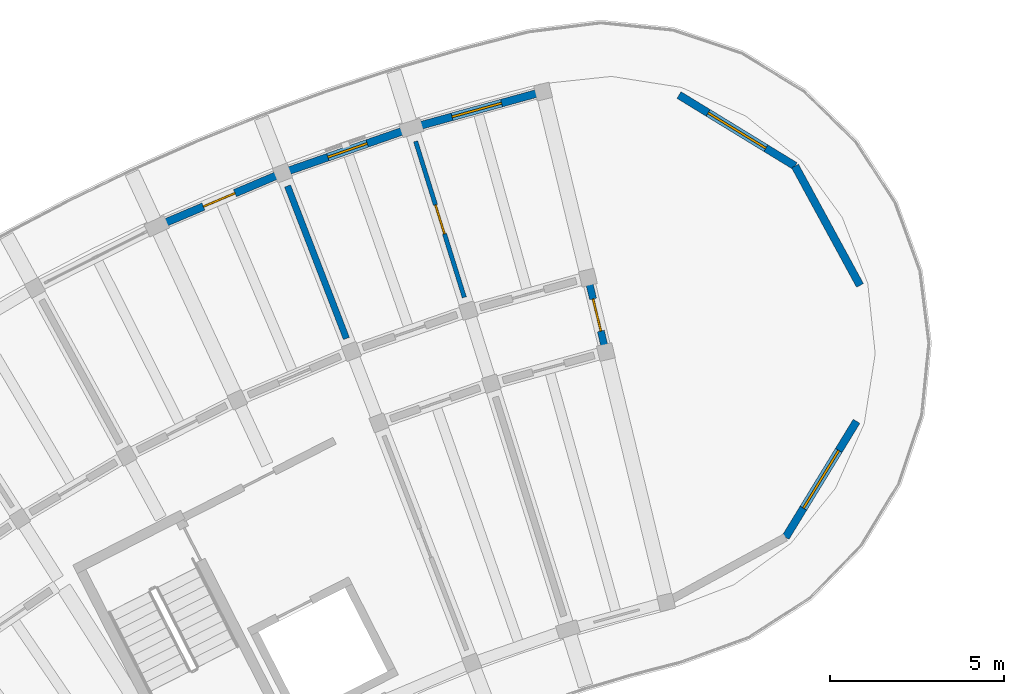
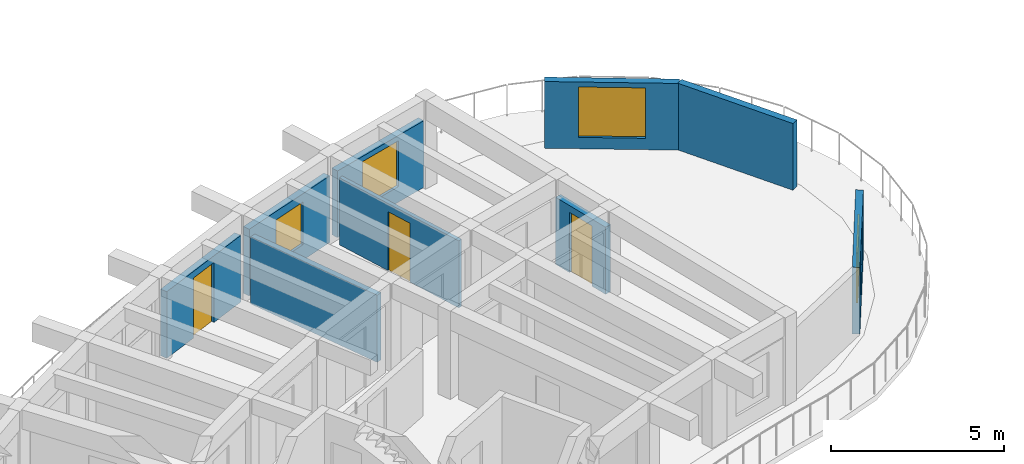
# One storey, part 21 of 32: 9 walls, 4 windows, 3 doors, 7 openings.
"""IFC4 building model written with IfcOpenShell, lengths in metres."""

import ifcopenshell
import ifcopenshell.guid

model = None  # the IFC model being written
_history = None  # IfcOwnerHistory: only IFC2X3 demands one
_inside = {}  # id of a spatial element -> (the spatial element, [elements in it])
_under = {}  # id of a project, library or spatial element -> (it, [spatial elements below it])
_declared = {}  # id of a project -> (the project, [libraries it declares])
_typed = {}  # id of a type object -> (the type object, [elements of that type])
_made_of = {}  # id of a material, layer set ... -> (it, [elements and type objects made of it])


def new_model(schema):
    """Start an empty IFC model of exactly this schema.

    Asked for "IFC4X3", IfcOpenShell would pick the latest addendum, in which some entities
    have other attributes; the version numbers below select the first issue.
    IFC2X3 requires an IfcOwnerHistory on every rooted entity: one is made here for all.
    """
    global model, _history
    if schema == "IFC4X3":
        model = ifcopenshell.file(schema_version=(4, 3, 0, 0))
    else:
        model = ifcopenshell.file(schema=schema)
    _inside.clear()
    _under.clear()
    _declared.clear()
    _typed.clear()
    _made_of.clear()
    _history = None
    if model.schema == "IFC2X3":
        org = make("IfcOrganization", Name="unknown")
        user = make(
            "IfcPersonAndOrganization",
            ThePerson=make("IfcPerson", FamilyName="unknown"),
            TheOrganization=org,
        )
        app = make(
            "IfcApplication",
            ApplicationDeveloper=org,
            Version="unknown",
            ApplicationFullName="unknown",
            ApplicationIdentifier="unknown",
        )
        _history = make(
            "IfcOwnerHistory",
            OwningUser=user,
            OwningApplication=app,
            ChangeAction="ADDED",
            CreationDate=0,
        )
    return model


def make(cls, **values):
    """One entity of the class cls with the attributes given. An attribute that is None is left unset."""
    return model.create_entity(
        cls, **{name: value for name, value in values.items() if value is not None}
    )


def rooted(cls, **values):
    """An entity with a GlobalId (a new one), such as an element, a storey or a relation."""
    return make(cls, GlobalId=ifcopenshell.guid.new(), OwnerHistory=_history, **values)


def si_unit(unit_type, name, prefix=None):
    """IfcSIUnit, for example si_unit("LENGTHUNIT", "METRE", prefix="MILLI")."""
    return make("IfcSIUnit", UnitType=unit_type, Prefix=prefix, Name=name)


def assignment(units):
    """IfcUnitAssignment: the units of a project."""
    return None if units is None else make("IfcUnitAssignment", Units=units)


def point(xyz):
    """IfcCartesianPoint."""
    return None if xyz is None else make("IfcCartesianPoint", Coordinates=xyz)


def direction(xyz):
    """IfcDirection."""
    return None if xyz is None else make("IfcDirection", DirectionRatios=xyz)


def frame(location, z_axis=None, x_axis=None):
    """IfcAxis2Placement3D, a coordinate frame: its origin and axes. An axis left out is left unset."""
    return make(
        "IfcAxis2Placement3D",
        Location=point(location),
        Axis=direction(z_axis),
        RefDirection=direction(x_axis),
    )


def frame_2d(location, x_axis=None):
    """IfcAxis2Placement2D, a coordinate frame in the plane: its origin and x axis."""
    return make(
        "IfcAxis2Placement2D", Location=point(location), RefDirection=direction(x_axis)
    )


def origin():
    """The frame at (0, 0, 0) with its axes left unset."""
    return frame((0.0, 0.0, 0.0))


def place(relative_to, where):
    """IfcLocalPlacement: puts the frame where relative to a parent placement (None: the world)."""
    return make(
        "IfcLocalPlacement", PlacementRelTo=relative_to, RelativePlacement=where
    )


def context(
    kind, dimensions, precision=None, world=None, true_north=None, identifier=None
):
    """IfcGeometricRepresentationContext, for example the 3D "Model" context."""
    return make(
        "IfcGeometricRepresentationContext",
        ContextIdentifier=identifier,
        ContextType=kind,
        CoordinateSpaceDimension=dimensions,
        Precision=precision,
        WorldCoordinateSystem=world,
        TrueNorth=true_north,
    )


def subcontext(parent, identifier, kind, view, scale=None):
    """IfcGeometricRepresentationSubContext, for example "Body" below "Model"."""
    return make(
        "IfcGeometricRepresentationSubContext",
        ContextIdentifier=identifier,
        ContextType=kind,
        ParentContext=parent,
        TargetScale=scale,
        TargetView=view,
    )


def project(units=None, contexts=None):
    """IfcProject with its units and contexts."""
    return rooted(
        "IfcProject",
        Name="project",
        RepresentationContexts=contexts,
        UnitsInContext=assignment(units),
    )


def spatial(cls, under=None, at=None, **own):
    """A site, building, storey or space (cls), placed at a placement, below another one or the project."""
    s = rooted(cls, ObjectPlacement=at, **own)
    if under is not None:
        _under.setdefault(under.id(), (under, []))[1].append(s)
    return s


def profile(cls, at=None, kind="AREA", **sizes):
    """A parametric profile (cls). Its sizes go by their IFC names, for example OverallWidth=200.0."""
    return make(cls, ProfileType=kind, Position=at, **sizes)


def rectangle(**sizes):
    """IfcRectangleProfileDef."""
    return profile("IfcRectangleProfileDef", **sizes)


def extrude(swept, where, along, depth):
    """IfcExtrudedAreaSolid: the profile swept, set in the frame where, extruded along a direction by depth."""
    return make(
        "IfcExtrudedAreaSolid",
        SweptArea=swept,
        Position=where,
        ExtrudedDirection=direction(along),
        Depth=depth,
    )


def shape(context_of_items, identifier, shape_type, items):
    """IfcShapeRepresentation: the items that make up one representation, for example the "Body"."""
    return make(
        "IfcShapeRepresentation",
        ContextOfItems=context_of_items,
        RepresentationIdentifier=identifier,
        RepresentationType=shape_type,
        Items=items,
    )


def material(Name=None, Category=None):
    """IfcMaterial."""
    return make("IfcMaterial", Name=Name, Category=Category)


def layer(
    of_material, thickness, ventilated=None, Name=None, Category=None, Priority=None
):
    """IfcMaterialLayer: one layer of a wall or slab, of a material (None: an air gap)."""
    return make(
        "IfcMaterialLayer",
        Material=of_material,
        LayerThickness=thickness,
        IsVentilated=ventilated,
        Name=Name,
        Category=Category,
        Priority=Priority,
    )


def layer_set(layers, Name=None):
    """IfcMaterialLayerSet."""
    return make("IfcMaterialLayerSet", MaterialLayers=layers, LayerSetName=Name)


def made_of(thing, what):
    """Note that an element or type object is made of a material, layer set ...; save() writes the relation."""
    if what is not None:
        _made_of.setdefault(what.id(), (what, []))[1].append(thing)
    return thing


def type_object(cls, material=None, **own):
    """A type object (cls), such as IfcWallType, which elements share."""
    return made_of(rooted(cls, **own), material)


def element(
    cls,
    number,
    at=None,
    inside=None,
    cuts=None,
    type_object=None,
    material=None,
    context=None,
    identifier="Body",
    shape_type=None,
    held_by="IfcProductDefinitionShape",
    body=None,
    shapes=None,
    **own,
):
    """One element of the class cls, such as IfcWall. Its Tag is "e" and its number.

    at: its placement. inside: the storey or other place that contains it. cuts: it is an
    opening in that element (IfcRelVoidsElement). A single representation is given by context,
    identifier, shape_type and body (its items); several are given by shapes. held_by: the class
    of the entity that holds the representations. save() writes the other relations.
    """
    e = rooted(cls, Tag="e%d" % number, ObjectPlacement=at, **own)
    if body is not None:
        shapes = [shape(context, identifier, shape_type, body)]
    if shapes is not None:
        e.Representation = make(held_by, Representations=shapes)
    if inside is not None:
        _inside.setdefault(inside.id(), (inside, []))[1].append(e)
    if cuts is not None:
        rooted(
            "IfcRelVoidsElement", RelatingBuildingElement=cuts, RelatedOpeningElement=e
        )
    if type_object is not None:
        _typed.setdefault(type_object.id(), (type_object, []))[1].append(e)
    return made_of(e, material)


def fill(opening, filler):
    """IfcRelFillsElement: the door or window that sits in an opening."""
    return rooted(
        "IfcRelFillsElement",
        RelatingOpeningElement=opening,
        RelatedBuildingElement=filler,
    )


def aggregate(whole, parts):
    """IfcRelAggregates: a whole, such as a stair, and the parts it consists of."""
    return rooted("IfcRelAggregates", RelatingObject=whole, RelatedObjects=parts)


def save(model, path):
    """Write the relations noted so far, then the file.

    IfcRelAggregates (storeys below a building ...), IfcRelContainedInSpatialStructure (elements
    in a storey), IfcRelDefinesByType, IfcRelAssociatesMaterial and IfcRelDeclares: one each for
    every whole, place, type object, material and project.
    """
    for whole, parts in _under.values():
        aggregate(whole, parts)
    for where, things in _inside.values():
        rooted(
            "IfcRelContainedInSpatialStructure",
            RelatedElements=things,
            RelatingStructure=where,
        )
    for kind, things in _typed.values():
        rooted("IfcRelDefinesByType", RelatedObjects=things, RelatingType=kind)
    for what, things in _made_of.values():
        rooted("IfcRelAssociatesMaterial", RelatedObjects=things, RelatingMaterial=what)
    for by, libraries in _declared.values():
        rooted("IfcRelDeclares", RelatingContext=by, RelatedDefinitions=libraries)
    model.write(path)


model = new_model("IFC4")

# Units and contexts
model_context = context("Model", 3, precision=1e-05, world=origin(), true_north=direction((0.0, 1.0)))
body_context = subcontext(model_context, "Body", "Model", "MODEL_VIEW")
ifc_project = project(units=[si_unit("LENGTHUNIT", "METRE"), si_unit("AREAUNIT", "SQUARE_METRE"), si_unit("VOLUMEUNIT", "CUBIC_METRE"), si_unit("PLANEANGLEUNIT", "RADIAN"), si_unit("MASSUNIT", "GRAM", prefix="KILO")], contexts=[model_context])

# Site, building, storey
site_placement = place(None, origin())
site = spatial("IfcSite", under=ifc_project, at=site_placement, CompositionType="ELEMENT")
building_placement = place(site_placement, origin())
building = spatial("IfcBuilding", under=site, at=building_placement, Name="Tanwirah Colonnade Gardens", CompositionType="ELEMENT")
storey_placement = place(building_placement, frame((0.0, 0.0, 42.43994140625)))
storey = spatial("IfcBuildingStorey", under=building, at=storey_placement, Name="L12", CompositionType="ELEMENT", Elevation=42.43994140625)

# Wall, opening, window
ifc_material_1 = material(Name="Limestone architectural precast concrete C40/50", Category="masonry")
ifc_layer_1 = layer(ifc_material_1, 0.22509765625)
ifc_layer_set_1 = layer_set([ifc_layer_1], Name="Limestone architectural precast concrete C40/50")
wall_type_1 = type_object("IfcWallType", Name="EW-PC225", PredefinedType="SOLIDWALL", material=ifc_layer_set_1)
wall_1_placement = place(storey_placement, frame((50.854248046875, 118.039306640625, 0.0), z_axis=(0.0, 0.0, 1.0), x_axis=(-0.963879958287, -0.266337053398, 0.0)))
wall_1 = element("IfcWall", 1, at=wall_1_placement, inside=storey, type_object=wall_type_1, Name="Block A L12 OUT Precast Facade Wall 2", PredefinedType="SOLIDWALL", context=body_context, shape_type="SweptSolid", body=[
    extrude(rectangle(XDim=3.56591796875, YDim=0.22509765625, at=frame_2d((1.782958984375, 0.0))), origin(), (0.0, 0.0, 1.0), 2.35498046875),
])
opening_1_placement = place(wall_1_placement, frame((1.04296875, 0.0, 0.550048828125)))
opening_1 = element("IfcOpeningElement", 2, at=opening_1_placement, cuts=wall_1, Name="Opening WIN-T19", PredefinedType="OPENING", context=body_context, shape_type="SweptSolid", body=[
    extrude(rectangle(XDim=1.47998046875, YDim=1.6201171875, at=frame_2d((0.739990234375, 0.81005859375))), frame((0.0, 0.12255859375, 0.0), z_axis=(0.0, -1.0, 0.0), x_axis=(1.0, 0.0, 0.0)), (0.0, 0.0, 1.0), 0.2451171875),
])
ifc_material_2 = material(Name="Thermally broken bronze aluminium and solar low-E double glazing", Category="aluminium")
window_type_1 = type_object("IfcWindowType", Name="WIN-T19", PartitioningType="DOUBLE_PANEL_VERTICAL", PredefinedType="WINDOW", material=ifc_material_2)
window_1_placement = place(opening_1_placement, origin())
window_1 = element("IfcWindow", 3, at=window_1_placement, inside=storey, type_object=window_type_1, Name="Facade window A-L12-OUT-02", OverallHeight=1.6201171875, OverallWidth=1.47998046875, PartitioningType="SINGLE_PANEL", PredefinedType="WINDOW", context=body_context, shape_type="SweptSolid", body=[
    extrude(rectangle(XDim=1.47998046875, YDim=1.6201171875, at=frame_2d((0.739990234375, 0.81005859375))), frame((0.0, 0.030029296875, 0.0), z_axis=(0.0, -1.0, 0.0), x_axis=(1.0, 0.0, 0.0)), (0.0, 0.0, 1.0), 0.06005859375),
])
fill(opening_1, window_1)

wall_2_placement = place(storey_placement, frame((47.1025390625, 116.991455078125, 0.0), z_axis=(0.0, 0.0, 1.0), x_axis=(-0.944238799482, -0.329261430405, 0.0)))
wall_2 = element("IfcWall", 4, at=wall_2_placement, inside=storey, type_object=wall_type_1, Name="Block A L12 OUT Precast Facade Wall 3", PredefinedType="SOLIDWALL", context=body_context, shape_type="SweptSolid", body=[
    extrude(rectangle(XDim=3.565673828125, YDim=0.22509765625, at=frame_2d((1.78271484375, 0.0))), origin(), (0.0, 0.0, 1.0), 2.35498046875),
])
opening_2_placement = place(wall_2_placement, frame((1.182861328125, 0.0, 0.550048828125)))
opening_2 = element("IfcOpeningElement", 5, at=opening_2_placement, cuts=wall_2, Name="Opening WIN-U02", PredefinedType="OPENING", context=body_context, shape_type="SweptSolid", body=[
    extrude(rectangle(XDim=1.199951171875, YDim=1.510009765625, at=frame_2d((0.60009765625, 0.7548828125))), frame((0.0, 0.12255859375, 0.0), z_axis=(0.0, -1.0, 0.0), x_axis=(1.0, 0.0, 0.0)), (0.0, 0.0, 1.0), 0.2451171875),
])
window_type_2 = type_object("IfcWindowType", Name="WIN-U02", PartitioningType="DOUBLE_PANEL_VERTICAL", PredefinedType="WINDOW", material=ifc_material_2)
window_2_placement = place(opening_2_placement, origin())
window_2 = element("IfcWindow", 6, at=window_2_placement, inside=storey, type_object=window_type_2, Name="Facade window A-L12-OUT-03", OverallHeight=1.510009765625, OverallWidth=1.199951171875, PartitioningType="SINGLE_PANEL", PredefinedType="WINDOW", context=body_context, shape_type="SweptSolid", body=[
    extrude(rectangle(XDim=1.199951171875, YDim=1.510009765625, at=frame_2d((0.60009765625, 0.7548828125))), frame((0.0, 0.030029296875, 0.0), z_axis=(0.0, -1.0, 0.0), x_axis=(1.0, 0.0, 0.0)), (0.0, 0.0, 1.0), 0.06005859375),
])
fill(opening_2, window_2)

# Wall, opening, door
wall_3_placement = place(storey_placement, frame((43.371826171875, 115.677001953125, 0.0), z_axis=(0.0, 0.0, 1.0), x_axis=(-0.920495973723, -0.390752047161, 0.0)))
wall_3 = element("IfcWall", 7, at=wall_3_placement, inside=storey, type_object=wall_type_1, Name="Block A L12 OUT Precast Facade Wall 4", PredefinedType="SOLIDWALL", context=body_context, shape_type="SweptSolid", body=[
    extrude(rectangle(XDim=3.565673828125, YDim=0.22509765625, at=frame_2d((1.78271484375, 0.0))), origin(), (0.0, 0.0, 1.0), 2.35498046875),
])
opening_3_placement = place(wall_3_placement, frame((1.292724609375, 0.0, 0.0)))
opening_3 = element("IfcOpeningElement", 8, at=opening_3_placement, cuts=wall_3, Name="Opening L12-ED058", PredefinedType="OPENING", context=body_context, shape_type="SweptSolid", body=[
    extrude(rectangle(XDim=0.97998046875, YDim=2.1201171875, at=frame_2d((0.489990234375, 1.06005859375))), frame((0.0, 0.12255859375, 0.0), z_axis=(0.0, -1.0, 0.0), x_axis=(1.0, 0.0, 0.0)), (0.0, 0.0, 1.0), 0.2451171875),
])
ifc_material_3 = material(Name="Bronze aluminium glazed balcony door", Category="aluminium")
door_type_1 = type_object("IfcDoorType", Name="ED-BAL098", OperationType="NOTDEFINED", PredefinedType="DOOR", material=ifc_material_3)
door_1_placement = place(opening_3_placement, origin())
door_1 = element("IfcDoor", 9, at=door_1_placement, inside=storey, type_object=door_type_1, Name="Balcony glazed door L12-ED058", OperationType="SINGLE_SWING_LEFT", OverallHeight=2.1201171875, OverallWidth=0.97998046875, PredefinedType="DOOR", context=body_context, shape_type="SweptSolid", body=[
    extrude(rectangle(XDim=0.97998046875, YDim=2.1201171875, at=frame_2d((0.489990234375, 1.06005859375))), frame((0.0, 0.02490234375, 0.0), z_axis=(0.0, -1.0, 0.0), x_axis=(1.0, 0.0, 0.0)), (0.0, 0.0, 1.0), 0.050048828125),
])
fill(opening_3, door_1)

# Wall, opening, window
wall_4_placement = place(storey_placement, frame((54.94921875, 117.99267578125, 0.0), z_axis=(0.0, 0.0, 1.0), x_axis=(0.85314128216, -0.521679933171, 0.0)))
wall_4 = element("IfcWall", 10, at=wall_4_placement, inside=storey, type_object=wall_type_1, Name="Block A L12 START Rounded End Wall 1", PredefinedType="SOLIDWALL", context=body_context, shape_type="SweptSolid", body=[
    extrude(rectangle(XDim=3.908203125, YDim=0.22509765625, at=frame_2d((1.9541015625, 0.0))), origin(), (0.0, 0.0, 1.0), 2.35498046875),
])
opening_4_placement = place(wall_4_placement, frame((0.97900390625, 0.0, 0.39990234375)))
opening_4 = element("IfcOpeningElement", 11, at=opening_4_placement, cuts=wall_4, Name="Opening WIN-END2", PredefinedType="OPENING", context=body_context, shape_type="SweptSolid", body=[
    extrude(rectangle(XDim=1.949951171875, YDim=1.780029296875, at=frame_2d((0.97509765625, 0.89013671875))), frame((0.0, 0.12255859375, 0.0), z_axis=(0.0, -1.0, 0.0), x_axis=(1.0, 0.0, 0.0)), (0.0, 0.0, 1.0), 0.2451171875),
])
window_type_3 = type_object("IfcWindowType", Name="WIN-END2", PartitioningType="TRIPLE_PANEL_VERTICAL", PredefinedType="WINDOW", material=ifc_material_2)
window_3_placement = place(opening_4_placement, origin())
window_3 = element("IfcWindow", 12, at=window_3_placement, inside=storey, type_object=window_type_3, Name="Rounded corner window A-L12-START-1", OverallHeight=1.780029296875, OverallWidth=1.949951171875, PartitioningType="SINGLE_PANEL", PredefinedType="WINDOW", context=body_context, shape_type="SweptSolid", body=[
    extrude(rectangle(XDim=1.949951171875, YDim=1.780029296875, at=frame_2d((0.97509765625, 0.89013671875))), frame((0.0, 0.030029296875, 0.0), z_axis=(0.0, -1.0, 0.0), x_axis=(1.0, 0.0, 0.0)), (0.0, 0.0, 1.0), 0.06005859375),
])
fill(opening_4, window_3)

# Wall
wall_5_placement = place(storey_placement, frame((58.283447265625, 115.953857421875, 0.0), z_axis=(0.0, 0.0, 1.0), x_axis=(0.478002823483, -0.878358298613, 0.0)))
element("IfcWall", 13, at=wall_5_placement, inside=storey, type_object=wall_type_1, Name="Block A L12 START Rounded End Wall 2", PredefinedType="SOLIDWALL", context=body_context, shape_type="SweptSolid", body=[
    extrude(rectangle(XDim=3.908203125, YDim=0.22509765625, at=frame_2d((1.9541015625, 0.0))), origin(), (0.0, 0.0, 1.0), 2.35498046875),
])

# Wall, opening, window
wall_6_placement = place(storey_placement, frame((60.052978515625, 108.6142578125, 0.0), z_axis=(0.0, 0.0, 1.0), x_axis=(-0.521652131435, -0.85315828178, 0.0)))
wall_6 = element("IfcWall", 14, at=wall_6_placement, inside=storey, type_object=wall_type_1, Name="Block A L12 START Rounded End Wall 4", PredefinedType="SOLIDWALL", context=body_context, shape_type="SweptSolid", body=[
    extrude(rectangle(XDim=3.908447265625, YDim=0.22509765625, at=frame_2d((1.9541015625, 0.0))), origin(), (0.0, 0.0, 1.0), 2.35498046875),
])
opening_5_placement = place(wall_6_placement, frame((0.97900390625, 0.0, 0.39990234375)))
opening_5 = element("IfcOpeningElement", 15, at=opening_5_placement, cuts=wall_6, Name="Opening WIN-END2", PredefinedType="OPENING", context=body_context, shape_type="SweptSolid", body=[
    extrude(rectangle(XDim=1.949951171875, YDim=1.780029296875, at=frame_2d((0.97509765625, 0.89013671875))), frame((0.0, 0.12255859375, 0.0), z_axis=(0.0, -1.0, 0.0), x_axis=(1.0, 0.0, 0.0)), (0.0, 0.0, 1.0), 0.2451171875),
])
window_4_placement = place(opening_5_placement, origin())
window_4 = element("IfcWindow", 16, at=window_4_placement, inside=storey, type_object=window_type_3, Name="Rounded corner window A-L12-START-4", OverallHeight=1.780029296875, OverallWidth=1.949951171875, PartitioningType="SINGLE_PANEL", PredefinedType="WINDOW", context=body_context, shape_type="SweptSolid", body=[
    extrude(rectangle(XDim=1.949951171875, YDim=1.780029296875, at=frame_2d((0.97509765625, 0.89013671875))), frame((0.0, 0.030029296875, 0.0), z_axis=(0.0, -1.0, 0.0), x_axis=(1.0, 0.0, 0.0)), (0.0, 0.0, 1.0), 0.06005859375),
])
fill(opening_5, window_4)

# Wall, opening, door
ifc_material_4 = material(Name="Precast concrete C40/50", Category="concrete")
ifc_layer_2 = layer(ifc_material_4, 0.205078125)
ifc_layer_set_2 = layer_set([ifc_layer_2], Name="Precast concrete C40/50")
wall_type_2 = type_object("IfcWallType", Name="IW-CORR205", PredefinedType="PARTITIONING", material=ifc_layer_set_2)
wall_7_placement = place(storey_placement, frame((52.835205078125, 110.654296875, 0.0), z_axis=(0.0, 0.0, 1.0), x_axis=(-0.23437535251, 0.972146179407, 0.0)))
wall_7 = element("IfcWall", 17, at=wall_7_placement, inside=storey, type_object=wall_type_2, Name="Block A L12 CS Corner Suite Corridor Wall", PredefinedType="PARTITIONING", context=body_context, shape_type="SweptSolid", body=[
    extrude(rectangle(XDim=2.10009765625, YDim=0.205078125, at=frame_2d((1.050048828125, 0.0))), origin(), (0.0, 0.0, 1.0), 2.3701171875),
])
opening_6_placement = place(wall_7_placement, frame((0.570068359375, 0.0, 0.0)))
opening_6 = element("IfcOpeningElement", 18, at=opening_6_placement, cuts=wall_7, Name="Opening L12-CD735", PredefinedType="OPENING", context=body_context, shape_type="SweptSolid", body=[
    extrude(rectangle(XDim=0.949951171875, YDim=2.1298828125, at=frame_2d((0.47509765625, 1.06494140625))), frame((0.0, 0.112548828125, 0.0), z_axis=(0.0, -1.0, 0.0), x_axis=(1.0, 0.0, 0.0)), (0.0, 0.0, 1.0), 0.22509765625),
])
ifc_material_5 = material(Name="Solid oak fire-resisting apartment entrance door")
door_type_2 = type_object("IfcDoorType", Name="ID-FLT095", OperationType="NOTDEFINED", PredefinedType="DOOR", material=ifc_material_5)
door_2_placement = place(opening_6_placement, origin())
door_2 = element("IfcDoor", 19, at=door_2_placement, inside=storey, type_object=door_type_2, Name="Corner suite entrance door L12-CD735", OperationType="SINGLE_SWING_LEFT", OverallHeight=2.1298828125, OverallWidth=0.949951171875, PredefinedType="DOOR", context=body_context, shape_type="SweptSolid", body=[
    extrude(rectangle(XDim=0.949951171875, YDim=2.1298828125, at=frame_2d((0.47509765625, 1.06494140625))), frame((0.0, 0.02490234375, 0.0), z_axis=(0.0, -1.0, 0.0), x_axis=(1.0, 0.0, 0.0)), (0.0, 0.0, 1.0), 0.050048828125),
])
fill(opening_6, door_2)

# Wall
ifc_layer_3 = layer(ifc_material_4, 0.18505859375)
ifc_layer_set_3 = layer_set([ifc_layer_3], Name="Precast concrete C40/50")
wall_type_3 = type_object("IfcWallType", Name="IW-DEM185", PredefinedType="PARTITIONING", material=ifc_layer_set_3)
wall_8_placement = place(storey_placement, frame((45.388427734375, 110.99560546875, 0.0), z_axis=(0.0, 0.0, 1.0), x_axis=(-0.360186633854, 0.932880264982, 0.0)))
element("IfcWall", 20, at=wall_8_placement, inside=storey, type_object=wall_type_3, Name="Block A L12 Radial Partition 3", PredefinedType="PARTITIONING", context=body_context, shape_type="SweptSolid", body=[
    extrude(rectangle(XDim=4.699951171875, YDim=0.18505859375, at=frame_2d((2.35009765625, 0.0))), origin(), (0.0, 0.0, 1.0), 2.3701171875),
])

# Wall, opening, door
ifc_material_6 = material(Name="Moisture-resistant gypsum stud partition")
ifc_layer_4 = layer(ifc_material_6, 0.125)
ifc_layer_set_4 = layer_set([ifc_layer_4], Name="Moisture-resistant gypsum stud partition")
wall_type_4 = type_object("IfcWallType", Name="IW-INT125", PredefinedType="PARTITIONING", material=ifc_layer_set_4)
wall_9_placement = place(storey_placement, frame((48.777587890625, 112.17724609375, 0.0), z_axis=(0.0, 0.0, 1.0), x_axis=(-0.297905254614, 0.954595442726, 0.0)))
wall_9 = element("IfcWall", 21, at=wall_9_placement, inside=storey, type_object=wall_type_4, Name="Block A L12 Radial Partition 2", PredefinedType="PARTITIONING", context=body_context, shape_type="SweptSolid", body=[
    extrude(rectangle(XDim=4.699951171875, YDim=0.125, at=frame_2d((2.35009765625, 0.0))), origin(), (0.0, 0.0, 1.0), 2.3701171875),
])
opening_7_placement = place(wall_9_placement, frame((1.9150390625, 0.0, 0.0)))
opening_7 = element("IfcOpeningElement", 22, at=opening_7_placement, cuts=wall_9, Name="Opening L12-RD708", PredefinedType="OPENING", context=body_context, shape_type="SweptSolid", body=[
    extrude(rectangle(XDim=0.8701171875, YDim=2.080078125, at=frame_2d((0.43505859375, 1.0400390625))), frame((0.0, 0.072509765625, 0.0), z_axis=(0.0, -1.0, 0.0), x_axis=(1.0, 0.0, 0.0)), (0.0, 0.0, 1.0), 0.14501953125),
])
ifc_material_7 = material(Name="Painted hardwood study door", Category="wood")
door_type_3 = type_object("IfcDoorType", Name="ID-RM087", OperationType="NOTDEFINED", PredefinedType="DOOR", material=ifc_material_7)
door_3_placement = place(opening_7_placement, origin())
door_3 = element("IfcDoor", 23, at=door_3_placement, inside=storey, type_object=door_type_3, Name="Internal apartment door L12-RD708", OperationType="SINGLE_SWING_LEFT", OverallHeight=2.080078125, OverallWidth=0.8701171875, PredefinedType="DOOR", context=body_context, shape_type="SweptSolid", body=[
    extrude(rectangle(XDim=0.8701171875, YDim=2.080078125, at=frame_2d((0.43505859375, 1.0400390625))), frame((0.0, 0.02490234375, 0.0), z_axis=(0.0, -1.0, 0.0), x_axis=(1.0, 0.0, 0.0)), (0.0, 0.0, 1.0), 0.050048828125),
])
fill(opening_7, door_3)

save(model, "model.ifc")
